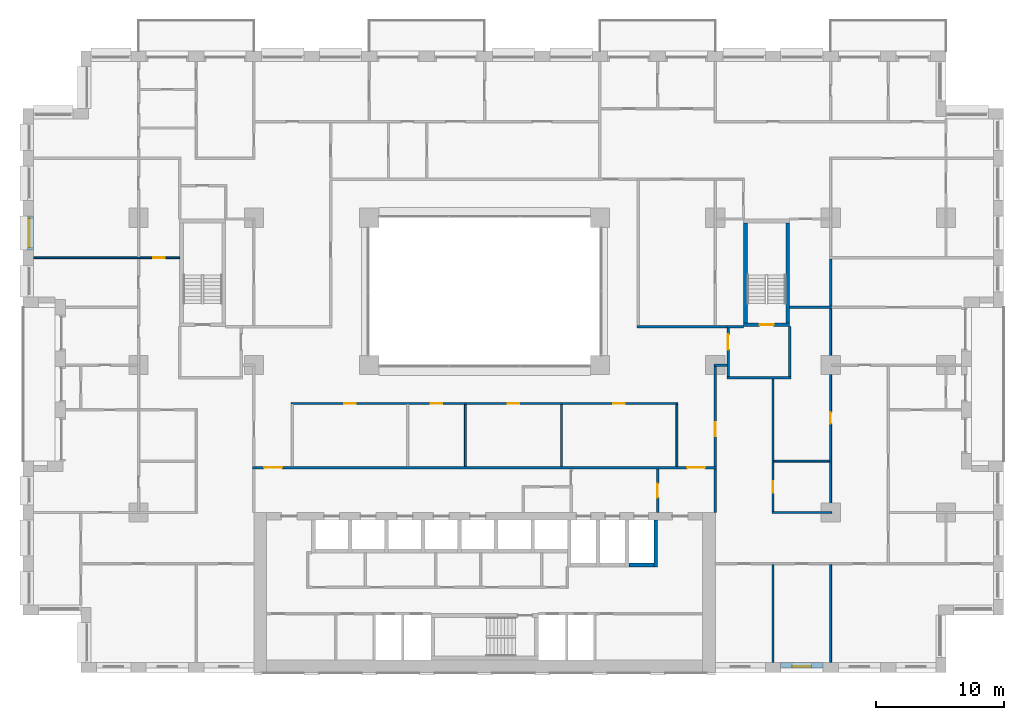
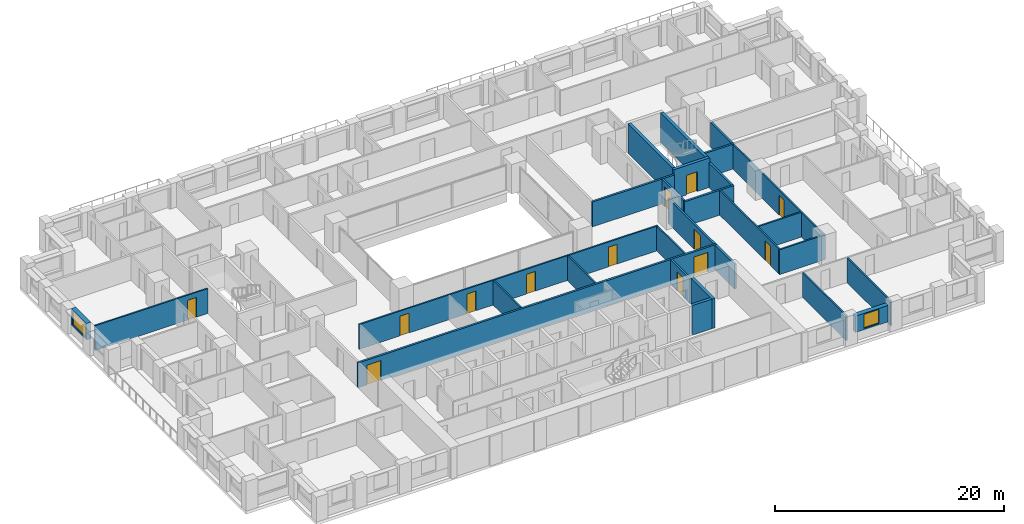
# One storey, part 12 of 20: 30 walls, 13 doors, 2 windows, 15 openings.
"""IFC4 building model written with IfcOpenShell, lengths in metres."""

from ifc_helpers import new_model, si_unit, direction, frame, frame_2d, origin, place, context, subcontext, project, spatial, rectangle, extrude, material, layer, layer_set, type_object, element, fill, save


model = new_model("IFC4")

# Units and contexts
model_context = context("Model", 3, precision=1e-05, world=origin(), true_north=direction((0.0, 1.0)))
body_context = subcontext(model_context, "Body", "Model", "MODEL_VIEW")
ifc_project = project(units=[si_unit("LENGTHUNIT", "METRE"), si_unit("AREAUNIT", "SQUARE_METRE"), si_unit("VOLUMEUNIT", "CUBIC_METRE"), si_unit("PLANEANGLEUNIT", "RADIAN"), si_unit("MASSUNIT", "GRAM", prefix="KILO")], contexts=[model_context])

# Site, building, storey
site_placement = place(None, origin())
site = spatial("IfcSite", under=ifc_project, at=site_placement, CompositionType="ELEMENT")
building_placement = place(site_placement, origin())
building = spatial("IfcBuilding", under=site, at=building_placement, Name="Brigalow Station Residences", CompositionType="ELEMENT")
storey_placement = place(building_placement, frame((0.0, 0.0, 69.89990234375)))
storey = spatial("IfcBuildingStorey", under=building, at=storey_placement, Name="L20", CompositionType="ELEMENT", Elevation=69.89990234375)

# Wall, opening, window
ifc_material_1 = material(Name="Clay brick masonry", Category="masonry")
ifc_layer_1 = layer(ifc_material_1, 0.449951171875)
ifc_layer_set_1 = layer_set([ifc_layer_1], Name="BRICK INFILL WALL 450")
wall_type_1 = type_object("IfcWallType", Name="BRICK INFILL WALL 450", PredefinedType="SOLIDWALL", material=ifc_layer_set_1)
wall_1_placement = place(storey_placement, frame((59.10009765625, 0.574951171875, 0.900146484375), z_axis=(0.0, 0.0, 1.0), x_axis=(1.0, 0.0, 0.0)))
wall_1 = element("IfcWall", 1, at=wall_1_placement, inside=storey, type_object=wall_type_1, Name="L20/ewall/W-L20-6", PredefinedType="SOLIDWALL", context=body_context, shape_type="SweptSolid", body=[
    extrude(rectangle(XDim=3.2998046875, YDim=0.449951171875, at=frame_2d((1.64990234375, 0.0))), origin(), (0.0, 0.0, 1.0), 1.75),
])
opening_1_placement = place(wall_1_placement, frame((0.89990234375, 0.0, 0.14990234375)))
opening_1 = element("IfcOpeningElement", 2, at=opening_1_placement, cuts=wall_1, Name="Opening WT-1", PredefinedType="OPENING", context=body_context, shape_type="SweptSolid", body=[
    extrude(rectangle(XDim=1.5, YDim=1.5, at=frame_2d((0.75, 0.75))), frame((0.0, 0.23486328125, 0.0), z_axis=(0.0, -1.0, 0.0), x_axis=(1.0, 0.0, 0.0)), (0.0, 0.0, 1.0), 0.469970703125),
])
ifc_material_2 = material(Name="Anodised aluminium frame with double glazing", Category="aluminium")
window_type_1 = type_object("IfcWindowType", Name="WINDOW 1500x1500", PartitioningType="SINGLE_PANEL", PredefinedType="WINDOW", material=ifc_material_2)
window_1_placement = place(opening_1_placement, origin())
window_1 = element("IfcWindow", 3, at=window_1_placement, inside=storey, type_object=window_type_1, Name="L20/window/W-L20-6", OverallHeight=1.5, OverallWidth=1.5, PartitioningType="SINGLE_PANEL", PredefinedType="WINDOW", context=body_context, shape_type="SweptSolid", body=[
    extrude(rectangle(XDim=1.5, YDim=1.5, at=frame_2d((0.75, 0.75))), frame((0.0, -0.06494140625, 0.0), z_axis=(0.0, -1.0, 0.0), x_axis=(1.0, 0.0, 0.0)), (0.0, 0.0, 1.0), 0.06005859375),
])
fill(opening_1, window_1)

wall_2_placement = place(storey_placement, frame((0.574951171875, 35.64990234375, 0.900146484375), z_axis=(0.0, 0.0, 1.0), x_axis=(0.0, -1.0, 0.0)))
wall_2 = element("IfcWall", 4, at=wall_2_placement, inside=storey, type_object=wall_type_1, Name="L20/ewall/W-L20-44", PredefinedType="SOLIDWALL", context=body_context, shape_type="SweptSolid", body=[
    extrude(rectangle(XDim=2.6748046875, YDim=0.449951171875, at=frame_2d((1.33740234375, 0.0))), origin(), (0.0, 0.0, 1.0), 1.75),
])
opening_2_placement = place(wall_2_placement, frame((0.21240234375, 0.0, 0.14990234375)))
opening_2 = element("IfcOpeningElement", 5, at=opening_2_placement, cuts=wall_2, Name="Opening WT-6", PredefinedType="OPENING", context=body_context, shape_type="SweptSolid", body=[
    extrude(rectangle(XDim=2.25, YDim=1.5, at=frame_2d((1.125, 0.75))), frame((0.0, 0.23486328125, 0.0), z_axis=(0.0, -1.0, 0.0), x_axis=(1.0, 0.0, 0.0)), (0.0, 0.0, 1.0), 0.469970703125),
])
ifc_material_3 = material(Name="Anodised aluminium frame with double glazing", Category="aluminium")
window_type_2 = type_object("IfcWindowType", Name="WINDOW 2250x1500", PartitioningType="SINGLE_PANEL", PredefinedType="WINDOW", material=ifc_material_3)
window_2_placement = place(opening_2_placement, origin())
window_2 = element("IfcWindow", 6, at=window_2_placement, inside=storey, type_object=window_type_2, Name="L20/window/W-L20-44", OverallHeight=1.5, OverallWidth=2.25, PartitioningType="SINGLE_PANEL", PredefinedType="WINDOW", context=body_context, shape_type="SweptSolid", body=[
    extrude(rectangle(XDim=2.25, YDim=1.5, at=frame_2d((1.125, 0.75))), frame((0.0, -0.06494140625, 0.0), z_axis=(0.0, -1.0, 0.0), x_axis=(1.0, 0.0, 0.0)), (0.0, 0.0, 1.0), 0.06005859375),
])
fill(opening_2, window_2)

# Walls
ifc_material_4 = material(Name="Concrete C80", Category="concrete")
ifc_layer_2 = layer(ifc_material_4, 0.300048828125)
ifc_layer_set_2 = layer_set([ifc_layer_2], Name="CORE SHEAR WALL 300 C80")
wall_type_2 = type_object("IfcWallType", Name="CORE SHEAR WALL 300 C80", PredefinedType="SHEAR", material=ifc_layer_set_2)
wall_3_placement = place(storey_placement, frame((47.25, 8.39990234375, 0.0), z_axis=(0.0, 0.0, 1.0), x_axis=(1.0, 0.0, 0.0)))
element("IfcWall", 7, at=wall_3_placement, inside=storey, type_object=wall_type_2, Name="CORE WALL SH-SL1-S L20", PredefinedType="SHEAR", context=body_context, shape_type="SweptSolid", body=[
    extrude(rectangle(XDim=1.949951171875, YDim=0.300048828125, at=frame_2d((0.97509765625, 0.0))), origin(), (0.0, 0.0, 1.0), 3.150146484375),
])
wall_4_placement = place(storey_placement, frame((49.35009765625, 8.25, 0.0), z_axis=(0.0, 0.0, 1.0), x_axis=(0.0, 1.0, 0.0)))
element("IfcWall", 8, at=wall_4_placement, inside=storey, type_object=wall_type_2, Name="CORE WALL SH-SL1-E L20", PredefinedType="SHEAR", context=body_context, shape_type="SweptSolid", body=[
    extrude(rectangle(XDim=3.64990234375, YDim=0.300048828125, at=frame_2d((1.824951171875, 0.0))), origin(), (0.0, 0.0, 1.0), 3.150146484375),
])

# Wall, opening, door
wall_5_placement = place(storey_placement, frame((56.199951171875, 27.14990234375, 0.0), z_axis=(0.0, 0.0, 1.0), x_axis=(1.0, 0.0, 0.0)))
wall_5 = element("IfcWall", 9, at=wall_5_placement, inside=storey, type_object=wall_type_2, Name="CORE WALL ST-S3-S L20", PredefinedType="SHEAR", context=body_context, shape_type="SweptSolid", body=[
    extrude(rectangle(XDim=3.60009765625, YDim=0.300048828125, at=frame_2d((1.800048828125, 0.0))), origin(), (0.0, 0.0, 1.0), 3.150146484375),
])
opening_3_placement = place(wall_5_placement, frame((1.25, 0.0, 0.0)))
opening_3 = element("IfcOpeningElement", 10, at=opening_3_placement, cuts=wall_5, Name="Opening D-5018", PredefinedType="OPENING", context=body_context, shape_type="SweptSolid", body=[
    extrude(rectangle(XDim=1.10009765625, YDim=2.10009765625, at=frame_2d((0.550048828125, 1.050048828125))), frame((0.0, 0.16015625, 0.0), z_axis=(0.0, -1.0, 0.0), x_axis=(1.0, 0.0, 0.0)), (0.0, 0.0, 1.0), 0.320068359375),
])
ifc_material_5 = material(Name="Steel fire door leaf in steel frame", Category="steel")
door_type_1 = type_object("IfcDoorType", Name="STAIR DOOR 1100 x 2100 FD60S", OperationType="SINGLE_SWING_LEFT", PredefinedType="DOOR", material=ifc_material_5)
door_1_placement = place(opening_3_placement, origin())
door_1 = element("IfcDoor", 11, at=door_1_placement, inside=storey, type_object=door_type_1, Name="D-5018", OperationType="SINGLE_SWING_LEFT", OverallHeight=2.10009765625, OverallWidth=1.10009765625, PredefinedType="DOOR", context=body_context, shape_type="SweptSolid", body=[
    extrude(rectangle(XDim=1.10009765625, YDim=2.10009765625, at=frame_2d((0.550048828125, 1.050048828125))), frame((0.0, 0.02490234375, 0.0), z_axis=(0.0, -1.0, 0.0), x_axis=(1.0, 0.0, 0.0)), (0.0, 0.0, 1.0), 0.050048828125),
])
fill(opening_3, door_1)

# Walls
for number, where, z_axis, x_axis, name in (
    (12, (56.35009765625, 27.300048828125, 0.0), (0.0, 0.0, 1.0), (0.0, 1.0, 0.0), "CORE WALL ST-S3-W L20"),
    (13, (59.64990234375, 27.300048828125, 0.0), (0.0, 0.0, 1.0), (0.0, 1.0, 0.0), "CORE WALL ST-S3-E L20"),
):
    element("IfcWall", number, at=place(storey_placement, frame(where, z_axis=z_axis, x_axis=x_axis)), inside=storey, type_object=wall_type_2, Name=name, PredefinedType="SHEAR", context=body_context, shape_type="SweptSolid", body=[
        extrude(rectangle(XDim=7.800048828125, YDim=0.300048828125, at=frame_2d((3.89990234375, 0.0))), origin(), (0.0, 0.0, 1.0), 3.150146484375),
    ])
ifc_material_6 = material(Name="Concrete blockwork", Category="masonry")
ifc_layer_3 = layer(ifc_material_6, 0.199951171875)
ifc_layer_set_3 = layer_set([ifc_layer_3], Name="FIRE RATED CORE PARTITION 200")
wall_type_3 = type_object("IfcWallType", Name="FIRE RATED CORE PARTITION 200", PredefinedType="PARTITIONING", material=ifc_layer_set_3)
wall_6_placement = place(storey_placement, frame((54.89990234375, 23.0, 0.0), z_axis=(0.0, 0.0, 1.0), x_axis=(1.0, 0.0, 0.0)))
element("IfcWall", 14, at=wall_6_placement, inside=storey, type_object=wall_type_3, Name="PW-5024", PredefinedType="PARTITIONING", context=body_context, shape_type="SweptSolid", body=[
    extrude(rectangle(XDim=5.0, YDim=0.199951171875, at=frame_2d((2.5, 0.0))), origin(), (0.0, 0.0, 1.0), 2.650146484375),
])
wall_7_placement = place(storey_placement, frame((54.89990234375, 27.0, 0.0), z_axis=(0.0, 0.0, 1.0), x_axis=(1.0, 0.0, 0.0)))
element("IfcWall", 15, at=wall_7_placement, inside=storey, type_object=wall_type_3, Name="PW-5026", PredefinedType="PARTITIONING", context=body_context, shape_type="SweptSolid", body=[
    extrude(rectangle(XDim=1.300048828125, YDim=0.199951171875, at=frame_2d((0.64990234375, 0.0))), origin(), (0.0, 0.0, 1.0), 2.650146484375),
])

# Wall, opening, door
wall_8_placement = place(storey_placement, frame((49.5, 12.5, 0.0), z_axis=(0.0, 0.0, 1.0), x_axis=(0.0, 1.0, 0.0)))
wall_8 = element("IfcWall", 16, at=wall_8_placement, inside=storey, type_object=wall_type_3, Name="PW-5015", PredefinedType="PARTITIONING", context=body_context, shape_type="SweptSolid", body=[
    extrude(rectangle(XDim=3.39990234375, YDim=0.199951171875, at=frame_2d((1.699951171875, 0.0))), origin(), (0.0, 0.0, 1.0), 2.650146484375),
])
opening_4_placement = place(wall_8_placement, frame((1.14990234375, 0.0, 0.0)))
opening_4 = element("IfcOpeningElement", 17, at=opening_4_placement, cuts=wall_8, Name="Opening D-5014", PredefinedType="OPENING", context=body_context, shape_type="SweptSolid", body=[
    extrude(rectangle(XDim=1.10009765625, YDim=2.10009765625, at=frame_2d((0.550048828125, 1.050048828125))), frame((0.0, 0.10986328125, 0.0), z_axis=(0.0, -1.0, 0.0), x_axis=(1.0, 0.0, 0.0)), (0.0, 0.0, 1.0), 0.219970703125),
])
ifc_material_7 = material(Name="Steel fire door leaf in steel frame", Category="steel")
door_type_2 = type_object("IfcDoorType", Name="LOBBY DOOR 1100 x 2100 FD60S", OperationType="SINGLE_SWING_LEFT", PredefinedType="DOOR", material=ifc_material_7)
door_2_placement = place(opening_4_placement, origin())
door_2 = element("IfcDoor", 18, at=door_2_placement, inside=storey, type_object=door_type_2, Name="D-5014", OperationType="SINGLE_SWING_LEFT", OverallHeight=2.10009765625, OverallWidth=1.10009765625, PredefinedType="DOOR", context=body_context, shape_type="SweptSolid", body=[
    extrude(rectangle(XDim=1.10009765625, YDim=2.10009765625, at=frame_2d((0.550048828125, 1.050048828125))), frame((0.0, 0.02490234375, 0.0), z_axis=(0.0, -1.0, 0.0), x_axis=(1.0, 0.0, 0.0)), (0.0, 0.0, 1.0), 0.050048828125),
])
fill(opening_4, door_2)

# Wall
wall_9_placement = place(storey_placement, frame((54.0, 12.5, 0.0), z_axis=(0.0, 0.0, 1.0), x_axis=(0.0, 1.0, 0.0)))
element("IfcWall", 19, at=wall_9_placement, inside=storey, type_object=wall_type_3, Name="PW-5016", PredefinedType="PARTITIONING", context=body_context, shape_type="SweptSolid", body=[
    extrude(rectangle(XDim=3.39990234375, YDim=0.199951171875, at=frame_2d((1.699951171875, 0.0))), origin(), (0.0, 0.0, 1.0), 2.650146484375),
])

# Wall, opening, door
wall_10_placement = place(storey_placement, frame((55.0, 23.10009765625, 0.0), z_axis=(0.0, 0.0, 1.0), x_axis=(0.0, 1.0, 0.0)))
wall_10 = element("IfcWall", 20, at=wall_10_placement, inside=storey, type_object=wall_type_3, Name="PW-5036", PredefinedType="PARTITIONING", context=body_context, shape_type="SweptSolid", body=[
    extrude(rectangle(XDim=3.7998046875, YDim=0.199951171875, at=frame_2d((1.89990234375, 0.0))), origin(), (0.0, 0.0, 1.0), 2.650146484375),
])
opening_5_placement = place(wall_10_placement, frame((2.10009765625, 0.0, 0.0)))
opening_5 = element("IfcOpeningElement", 21, at=opening_5_placement, cuts=wall_10, Name="Opening D-5019", PredefinedType="OPENING", context=body_context, shape_type="SweptSolid", body=[
    extrude(rectangle(XDim=1.199951171875, YDim=2.10009765625, at=frame_2d((0.60009765625, 1.050048828125))), frame((0.0, 0.10986328125, 0.0), z_axis=(0.0, -1.0, 0.0), x_axis=(1.0, 0.0, 0.0)), (0.0, 0.0, 1.0), 0.219970703125),
])
ifc_material_8 = material(Name="Steel fire door leaf in steel frame", Category="steel")
door_type_3 = type_object("IfcDoorType", Name="STAIR LOBBY DOOR 1200 x 2100 FD60S", OperationType="SINGLE_SWING_LEFT", PredefinedType="DOOR", material=ifc_material_8)
door_3_placement = place(opening_5_placement, frame((1.199951171875, 0.0, 0.0), z_axis=(0.0, 0.0, 1.0), x_axis=(-1.0, 0.0, 0.0)))
door_3 = element("IfcDoor", 22, at=door_3_placement, inside=storey, type_object=door_type_3, Name="D-5019", OperationType="SINGLE_SWING_LEFT", OverallHeight=2.10009765625, OverallWidth=1.199951171875, PredefinedType="DOOR", context=body_context, shape_type="SweptSolid", body=[
    extrude(rectangle(XDim=1.199951171875, YDim=2.10009765625, at=frame_2d((0.60009765625, 1.050048828125))), frame((0.0, 0.02490234375, 0.0), z_axis=(0.0, -1.0, 0.0), x_axis=(1.0, 0.0, 0.0)), (0.0, 0.0, 1.0), 0.050048828125),
])
fill(opening_5, door_3)

# Wall
wall_11_placement = place(storey_placement, frame((59.800048828125, 23.10009765625, 0.0), z_axis=(0.0, 0.0, 1.0), x_axis=(0.0, 1.0, 0.0)))
element("IfcWall", 23, at=wall_11_placement, inside=storey, type_object=wall_type_3, Name="PW-5037", PredefinedType="PARTITIONING", context=body_context, shape_type="SweptSolid", body=[
    extrude(rectangle(XDim=3.89990234375, YDim=0.199951171875, at=frame_2d((1.949951171875, 0.0))), origin(), (0.0, 0.0, 1.0), 2.650146484375),
])

# Wall, openings, doors
ifc_material_9 = material(Name="Plasterboard on steel stud partition", Category="steel")
ifc_layer_4 = layer(ifc_material_9, 0.14990234375)
ifc_layer_set_4 = layer_set([ifc_layer_4], Name="FLAT PARTITION 150")
wall_type_4 = type_object("IfcWallType", Name="FLAT PARTITION 150", PredefinedType="PARTITIONING", material=ifc_layer_set_4)
wall_12_placement = place(storey_placement, frame((20.925048828125, 21.0, 0.0), z_axis=(0.0, 0.0, 1.0), x_axis=(1.0, 0.0, 0.0)))
wall_12 = element("IfcWall", 24, at=wall_12_placement, inside=storey, type_object=wall_type_4, Name="PW-1G01", PredefinedType="PARTITIONING", context=body_context, shape_type="SweptSolid", body=[
    extrude(rectangle(XDim=30.14990234375, YDim=0.14990234375, at=frame_2d((15.074951171875, 0.0))), origin(), (0.0, 0.0, 1.0), 2.650146484375),
])
opening_6_placement = place(wall_12_placement, frame((4.125, 0.0, 0.0)))
opening_6 = element("IfcOpeningElement", 25, at=opening_6_placement, cuts=wall_12, Name="Opening D-1G65", PredefinedType="OPENING", context=body_context, shape_type="SweptSolid", body=[
    extrude(rectangle(XDim=0.89990234375, YDim=2.10009765625, at=frame_2d((0.449951171875, 1.050048828125))), frame((0.0, 0.0849609375, 0.0), z_axis=(0.0, -1.0, 0.0), x_axis=(1.0, 0.0, 0.0)), (0.0, 0.0, 1.0), 0.169921875),
])
opening_7_placement = place(wall_12_placement, frame((10.875, 0.0, 0.0)))
opening_7 = element("IfcOpeningElement", 26, at=opening_7_placement, cuts=wall_12, Name="Opening D-1G66", PredefinedType="OPENING", context=body_context, shape_type="SweptSolid", body=[
    extrude(rectangle(XDim=0.89990234375, YDim=2.10009765625, at=frame_2d((0.449951171875, 1.050048828125))), frame((0.0, 0.0849609375, 0.0), z_axis=(0.0, -1.0, 0.0), x_axis=(1.0, 0.0, 0.0)), (0.0, 0.0, 1.0), 0.169921875),
])
opening_8_placement = place(wall_12_placement, frame((16.875, 0.0, 0.0)))
opening_8 = element("IfcOpeningElement", 27, at=opening_8_placement, cuts=wall_12, Name="Opening D-1G67", PredefinedType="OPENING", context=body_context, shape_type="SweptSolid", body=[
    extrude(rectangle(XDim=0.89990234375, YDim=2.10009765625, at=frame_2d((0.449951171875, 1.050048828125))), frame((0.0, 0.0849609375, 0.0), z_axis=(0.0, -1.0, 0.0), x_axis=(1.0, 0.0, 0.0)), (0.0, 0.0, 1.0), 0.169921875),
])
opening_9_placement = place(wall_12_placement, frame((25.125, 0.0, 0.0)))
opening_9 = element("IfcOpeningElement", 28, at=opening_9_placement, cuts=wall_12, Name="Opening D-1G68", PredefinedType="OPENING", context=body_context, shape_type="SweptSolid", body=[
    extrude(rectangle(XDim=0.89990234375, YDim=2.10009765625, at=frame_2d((0.449951171875, 1.050048828125))), frame((0.0, 0.0849609375, 0.0), z_axis=(0.0, -1.0, 0.0), x_axis=(1.0, 0.0, 0.0)), (0.0, 0.0, 1.0), 0.169921875),
])
ifc_material_10 = material(Name="Solid-core timber door leaf", Category="wood")
door_type_4 = type_object("IfcDoorType", Name="INTERNAL DOOR 900 x 2100", OperationType="SINGLE_SWING_LEFT", PredefinedType="DOOR", material=ifc_material_10)
door_4_placement = place(opening_6_placement, frame((0.89990234375, 0.0, 0.0), z_axis=(0.0, 0.0, 1.0), x_axis=(-1.0, 0.0, 0.0)))
door_4 = element("IfcDoor", 29, at=door_4_placement, inside=storey, type_object=door_type_4, Name="D-1G65", OperationType="SINGLE_SWING_RIGHT", OverallHeight=2.10009765625, OverallWidth=0.89990234375, PredefinedType="DOOR", context=body_context, shape_type="SweptSolid", body=[
    extrude(rectangle(XDim=0.89990234375, YDim=2.10009765625, at=frame_2d((0.449951171875, 1.050048828125))), frame((0.0, 0.02490234375, 0.0), z_axis=(0.0, -1.0, 0.0), x_axis=(1.0, 0.0, 0.0)), (0.0, 0.0, 1.0), 0.050048828125),
])
fill(opening_6, door_4)
door_5_placement = place(opening_7_placement, frame((0.89990234375, 0.0, 0.0), z_axis=(0.0, 0.0, 1.0), x_axis=(-1.0, 0.0, 0.0)))
door_5 = element("IfcDoor", 30, at=door_5_placement, inside=storey, type_object=door_type_4, Name="D-1G66", OperationType="SINGLE_SWING_LEFT", OverallHeight=2.10009765625, OverallWidth=0.89990234375, PredefinedType="DOOR", context=body_context, shape_type="SweptSolid", body=[
    extrude(rectangle(XDim=0.89990234375, YDim=2.10009765625, at=frame_2d((0.449951171875, 1.050048828125))), frame((0.0, 0.02490234375, 0.0), z_axis=(0.0, -1.0, 0.0), x_axis=(1.0, 0.0, 0.0)), (0.0, 0.0, 1.0), 0.050048828125),
])
fill(opening_7, door_5)
door_6_placement = place(opening_8_placement, frame((0.89990234375, 0.0, 0.0), z_axis=(0.0, 0.0, 1.0), x_axis=(-1.0, 0.0, 0.0)))
door_6 = element("IfcDoor", 31, at=door_6_placement, inside=storey, type_object=door_type_4, Name="D-1G67", OperationType="SINGLE_SWING_LEFT", OverallHeight=2.10009765625, OverallWidth=0.89990234375, PredefinedType="DOOR", context=body_context, shape_type="SweptSolid", body=[
    extrude(rectangle(XDim=0.89990234375, YDim=2.10009765625, at=frame_2d((0.449951171875, 1.050048828125))), frame((0.0, 0.02490234375, 0.0), z_axis=(0.0, -1.0, 0.0), x_axis=(1.0, 0.0, 0.0)), (0.0, 0.0, 1.0), 0.050048828125),
])
fill(opening_8, door_6)
door_7_placement = place(opening_9_placement, frame((0.89990234375, 0.0, 0.0), z_axis=(0.0, 0.0, 1.0), x_axis=(-1.0, 0.0, 0.0)))
door_7 = element("IfcDoor", 32, at=door_7_placement, inside=storey, type_object=door_type_4, Name="D-1G68", OperationType="SINGLE_SWING_LEFT", OverallHeight=2.10009765625, OverallWidth=0.89990234375, PredefinedType="DOOR", context=body_context, shape_type="SweptSolid", body=[
    extrude(rectangle(XDim=0.89990234375, YDim=2.10009765625, at=frame_2d((0.449951171875, 1.050048828125))), frame((0.0, 0.02490234375, 0.0), z_axis=(0.0, -1.0, 0.0), x_axis=(1.0, 0.0, 0.0)), (0.0, 0.0, 1.0), 0.050048828125),
])
fill(opening_9, door_7)

# Wall
wall_13_placement = place(storey_placement, frame((58.425048828125, 12.5, 0.0), z_axis=(0.0, 0.0, 1.0), x_axis=(1.0, 0.0, 0.0)))
element("IfcWall", 33, at=wall_13_placement, inside=storey, type_object=wall_type_4, Name="PW-1G13", PredefinedType="PARTITIONING", context=body_context, shape_type="SweptSolid", body=[
    extrude(rectangle(XDim=4.64990234375, YDim=0.14990234375, at=frame_2d((2.324951171875, 0.0))), origin(), (0.0, 0.0, 1.0), 2.650146484375),
])

# Wall, opening, door
wall_14_placement = place(storey_placement, frame((0.800048828125, 32.375, 0.0), z_axis=(0.0, 0.0, 1.0), x_axis=(1.0, 0.0, 0.0)))
wall_14 = element("IfcWall", 34, at=wall_14_placement, inside=storey, type_object=wall_type_4, Name="PW-1G17", PredefinedType="PARTITIONING", context=body_context, shape_type="SweptSolid", body=[
    extrude(rectangle(XDim=11.39990234375, YDim=0.14990234375, at=frame_2d((5.699951171875, 0.0))), origin(), (0.0, 0.0, 1.0), 2.650146484375),
])
opening_10_placement = place(wall_14_placement, frame((9.35009765625, 0.0, 0.0)))
opening_10 = element("IfcOpeningElement", 35, at=opening_10_placement, cuts=wall_14, Name="Opening D-1G13", PredefinedType="OPENING", context=body_context, shape_type="SweptSolid", body=[
    extrude(rectangle(XDim=0.89990234375, YDim=2.10009765625, at=frame_2d((0.449951171875, 1.050048828125))), frame((0.0, 0.0849609375, 0.0), z_axis=(0.0, -1.0, 0.0), x_axis=(1.0, 0.0, 0.0)), (0.0, 0.0, 1.0), 0.169921875),
])
door_8_placement = place(opening_10_placement, origin())
door_8 = element("IfcDoor", 36, at=door_8_placement, inside=storey, type_object=door_type_4, Name="D-1G13", OperationType="SINGLE_SWING_LEFT", OverallHeight=2.10009765625, OverallWidth=0.89990234375, PredefinedType="DOOR", context=body_context, shape_type="SweptSolid", body=[
    extrude(rectangle(XDim=0.89990234375, YDim=2.10009765625, at=frame_2d((0.449951171875, 1.050048828125))), frame((0.0, 0.02490234375, 0.0), z_axis=(0.0, -1.0, 0.0), x_axis=(1.0, 0.0, 0.0)), (0.0, 0.0, 1.0), 0.050048828125),
])
fill(opening_10, door_8)

# Walls
wall_15_placement = place(storey_placement, frame((58.574951171875, 16.5, 0.0), z_axis=(0.0, 0.0, 1.0), x_axis=(1.0, 0.0, 0.0)))
element("IfcWall", 37, at=wall_15_placement, inside=storey, type_object=wall_type_4, Name="PW-1G20", PredefinedType="PARTITIONING", context=body_context, shape_type="SweptSolid", body=[
    extrude(rectangle(XDim=4.35009765625, YDim=0.14990234375, at=frame_2d((2.175048828125, 0.0))), origin(), (0.0, 0.0, 1.0), 2.650146484375),
])
wall_16_placement = place(storey_placement, frame((51.0, 16.10009765625, 0.0), z_axis=(0.0, 0.0, 1.0), x_axis=(0.0, 1.0, 0.0)))
element("IfcWall", 38, at=wall_16_placement, inside=storey, type_object=wall_type_4, Name="PW-1G46", PredefinedType="PARTITIONING", context=body_context, shape_type="SweptSolid", body=[
    extrude(rectangle(XDim=4.824951171875, YDim=0.14990234375, at=frame_2d((2.41259765625, 0.0))), origin(), (0.0, 0.0, 1.0), 2.650146484375),
])
wall_17_placement = place(storey_placement, frame((63.0, 0.800048828125, 0.0), z_axis=(0.0, 0.0, 1.0), x_axis=(0.0, 1.0, 0.0)))
element("IfcWall", 39, at=wall_17_placement, inside=storey, type_object=wall_type_4, Name="PW-1G66", PredefinedType="PARTITIONING", context=body_context, shape_type="SweptSolid", body=[
    extrude(rectangle(XDim=7.625, YDim=0.14990234375, at=frame_2d((3.8125, 0.0))), origin(), (0.0, 0.0, 1.0), 2.650146484375),
])

# Wall, opening, door
wall_18_placement = place(storey_placement, frame((63.0, 12.574951171875, 0.0), z_axis=(0.0, 0.0, 1.0), x_axis=(0.0, 1.0, 0.0)))
wall_18 = element("IfcWall", 40, at=wall_18_placement, inside=storey, type_object=wall_type_4, Name="PW-1G67", PredefinedType="PARTITIONING", context=body_context, shape_type="SweptSolid", body=[
    extrude(rectangle(XDim=15.85009765625, YDim=0.14990234375, at=frame_2d((7.925048828125, 0.0))), origin(), (0.0, 0.0, 1.0), 2.650146484375),
])
opening_11_placement = place(wall_18_placement, frame((6.85009765625, 0.0, 0.0)))
opening_11 = element("IfcOpeningElement", 41, at=opening_11_placement, cuts=wall_18, Name="Opening D-1G62", PredefinedType="OPENING", context=body_context, shape_type="SweptSolid", body=[
    extrude(rectangle(XDim=0.89990234375, YDim=2.10009765625, at=frame_2d((0.449951171875, 1.050048828125))), frame((0.0, 0.0849609375, 0.0), z_axis=(0.0, -1.0, 0.0), x_axis=(1.0, 0.0, 0.0)), (0.0, 0.0, 1.0), 0.169921875),
])
door_9_placement = place(opening_11_placement, origin())
door_9 = element("IfcDoor", 42, at=door_9_placement, inside=storey, type_object=door_type_4, Name="D-1G62", OperationType="SINGLE_SWING_LEFT", OverallHeight=2.10009765625, OverallWidth=0.89990234375, PredefinedType="DOOR", context=body_context, shape_type="SweptSolid", body=[
    extrude(rectangle(XDim=0.89990234375, YDim=2.10009765625, at=frame_2d((0.449951171875, 1.050048828125))), frame((0.0, 0.02490234375, 0.0), z_axis=(0.0, -1.0, 0.0), x_axis=(1.0, 0.0, 0.0)), (0.0, 0.0, 1.0), 0.050048828125),
])
fill(opening_11, door_9)

# Wall
wall_19_placement = place(storey_placement, frame((58.5, 0.800048828125, 0.0), z_axis=(0.0, 0.0, 1.0), x_axis=(0.0, 1.0, 0.0)))
element("IfcWall", 43, at=wall_19_placement, inside=storey, type_object=wall_type_4, Name="PW-1G79", PredefinedType="PARTITIONING", context=body_context, shape_type="SweptSolid", body=[
    extrude(rectangle(XDim=7.625, YDim=0.14990234375, at=frame_2d((3.8125, 0.0))), origin(), (0.0, 0.0, 1.0), 2.650146484375),
])

# Wall, opening, door
wall_20_placement = place(storey_placement, frame((58.5, 12.574951171875, 0.0), z_axis=(0.0, 0.0, 1.0), x_axis=(0.0, 1.0, 0.0)))
wall_20 = element("IfcWall", 44, at=wall_20_placement, inside=storey, type_object=wall_type_4, Name="PW-1G80", PredefinedType="PARTITIONING", context=body_context, shape_type="SweptSolid", body=[
    extrude(rectangle(XDim=10.324951171875, YDim=0.14990234375, at=frame_2d((5.16259765625, 0.0))), origin(), (0.0, 0.0, 1.0), 2.650146484375),
])
opening_12_placement = place(wall_20_placement, frame((1.47509765625, 0.0, 0.0)))
opening_12 = element("IfcOpeningElement", 45, at=opening_12_placement, cuts=wall_20, Name="Opening D-1G52", PredefinedType="OPENING", context=body_context, shape_type="SweptSolid", body=[
    extrude(rectangle(XDim=0.89990234375, YDim=2.10009765625, at=frame_2d((0.449951171875, 1.050048828125))), frame((0.0, 0.0849609375, 0.0), z_axis=(0.0, -1.0, 0.0), x_axis=(1.0, 0.0, 0.0)), (0.0, 0.0, 1.0), 0.169921875),
])
door_10_placement = place(opening_12_placement, frame((0.89990234375, 0.0, 0.0), z_axis=(0.0, 0.0, 1.0), x_axis=(-1.0, 0.0, 0.0)))
door_10 = element("IfcDoor", 46, at=door_10_placement, inside=storey, type_object=door_type_4, Name="D-1G52", OperationType="SINGLE_SWING_LEFT", OverallHeight=2.10009765625, OverallWidth=0.89990234375, PredefinedType="DOOR", context=body_context, shape_type="SweptSolid", body=[
    extrude(rectangle(XDim=0.89990234375, YDim=2.10009765625, at=frame_2d((0.449951171875, 1.050048828125))), frame((0.0, 0.02490234375, 0.0), z_axis=(0.0, -1.0, 0.0), x_axis=(1.0, 0.0, 0.0)), (0.0, 0.0, 1.0), 0.050048828125),
])
fill(opening_12, door_10)

# Walls
for number, where, z_axis, x_axis, name in (
    (47, (34.5, 16.10009765625, 0.0), (0.0, 0.0, 1.0), (0.0, 1.0, 0.0), "PW-1G82"),
    (48, (42.0, 16.10009765625, 0.0), (0.0, 0.0, 1.0), (0.0, 1.0, 0.0), "PW-1G83"),
):
    element("IfcWall", number, at=place(storey_placement, frame(where, z_axis=z_axis, x_axis=x_axis)), inside=storey, type_object=wall_type_4, Name=name, PredefinedType="PARTITIONING", context=body_context, shape_type="SweptSolid", body=[
        extrude(rectangle(XDim=4.824951171875, YDim=0.14990234375, at=frame_2d((2.41259765625, 0.0))), origin(), (0.0, 0.0, 1.0), 2.650146484375),
    ])
ifc_material_11 = material(Name="Plasterboard on steel stud partition", Category="steel")
ifc_layer_5 = layer(ifc_material_11, 0.199951171875)
ifc_layer_set_5 = layer_set([ifc_layer_5], Name="PARTY AND CORRIDOR WALL 200")
wall_type_5 = type_object("IfcWallType", Name="PARTY AND CORRIDOR WALL 200", PredefinedType="PARTITIONING", material=ifc_layer_set_5)
wall_21_placement = place(storey_placement, frame((53.89990234375, 24.0, 0.0), z_axis=(0.0, 0.0, 1.0), x_axis=(1.0, 0.0, 0.0)))
element("IfcWall", 49, at=wall_21_placement, inside=storey, type_object=wall_type_5, Name="PW-1G05", PredefinedType="PARTITIONING", context=body_context, shape_type="SweptSolid", body=[
    extrude(rectangle(XDim=1.0, YDim=0.199951171875, at=frame_2d((0.5, 0.0))), origin(), (0.0, 0.0, 1.0), 2.650146484375),
])
wall_22_placement = place(storey_placement, frame((47.89990234375, 27.0, 0.0), z_axis=(0.0, 0.0, 1.0), x_axis=(1.0, 0.0, 0.0)))
element("IfcWall", 50, at=wall_22_placement, inside=storey, type_object=wall_type_5, Name="PW-1G07", PredefinedType="PARTITIONING", context=body_context, shape_type="SweptSolid", body=[
    extrude(rectangle(XDim=7.0, YDim=0.199951171875, at=frame_2d((3.5, 0.0))), origin(), (0.0, 0.0, 1.0), 2.650146484375),
])
wall_23_placement = place(storey_placement, frame((59.800048828125, 28.5, 0.0), z_axis=(0.0, 0.0, 1.0), x_axis=(1.0, 0.0, 0.0)))
element("IfcWall", 51, at=wall_23_placement, inside=storey, type_object=wall_type_5, Name="PW-1G23", PredefinedType="PARTITIONING", context=body_context, shape_type="SweptSolid", body=[
    extrude(rectangle(XDim=3.27490234375, YDim=0.199951171875, at=frame_2d((1.637451171875, 0.0))), origin(), (0.0, 0.0, 1.0), 2.650146484375),
])

# Wall, openings, doors
wall_24_placement = place(storey_placement, frame((17.89990234375, 16.0, 0.0), z_axis=(0.0, 0.0, 1.0), x_axis=(1.0, 0.0, 0.0)))
wall_24 = element("IfcWall", 52, at=wall_24_placement, inside=storey, type_object=wall_type_5, Name="PW-1G38", PredefinedType="PARTITIONING", context=body_context, shape_type="SweptSolid", body=[
    extrude(rectangle(XDim=36.2001953125, YDim=0.199951171875, at=frame_2d((18.10009765625, 0.0))), origin(), (0.0, 0.0, 1.0), 2.650146484375),
])
opening_13_placement = place(wall_24_placement, frame((0.89990234375, 0.0, 0.0)))
opening_13 = element("IfcOpeningElement", 53, at=opening_13_placement, cuts=wall_24, Name="Opening D-1G01", PredefinedType="OPENING", context=body_context, shape_type="SweptSolid", body=[
    extrude(rectangle(XDim=1.39990234375, YDim=2.10009765625, at=frame_2d((0.699951171875, 1.050048828125))), frame((0.0, 0.10986328125, 0.0), z_axis=(0.0, -1.0, 0.0), x_axis=(1.0, 0.0, 0.0)), (0.0, 0.0, 1.0), 0.219970703125),
])
opening_14_placement = place(wall_24_placement, frame((33.89990234375, 0.0, 0.0)))
opening_14 = element("IfcOpeningElement", 54, at=opening_14_placement, cuts=wall_24, Name="Opening D-1G02", PredefinedType="OPENING", context=body_context, shape_type="SweptSolid", body=[
    extrude(rectangle(XDim=1.39990234375, YDim=2.10009765625, at=frame_2d((0.699951171875, 1.050048828125))), frame((0.0, 0.10986328125, 0.0), z_axis=(0.0, -1.0, 0.0), x_axis=(1.0, 0.0, 0.0)), (0.0, 0.0, 1.0), 0.219970703125),
])
ifc_material_12 = material(Name="Solid-core timber door leaf", Category="wood")
door_type_5 = type_object("IfcDoorType", Name="CORRIDOR FIRE DOOR 1400 x 2100 FRL -/60/30", OperationType="DOUBLE_DOOR_SINGLE_SWING", PredefinedType="DOOR", material=ifc_material_12)
door_11_placement = place(opening_13_placement, frame((1.39990234375, 0.0, 0.0), z_axis=(0.0, 0.0, 1.0), x_axis=(-1.0, 0.0, 0.0)))
door_11 = element("IfcDoor", 55, at=door_11_placement, inside=storey, type_object=door_type_5, Name="D-1G01", OperationType="DOUBLE_DOOR_SINGLE_SWING", OverallHeight=2.10009765625, OverallWidth=1.39990234375, PredefinedType="DOOR", context=body_context, shape_type="SweptSolid", body=[
    extrude(rectangle(XDim=1.39990234375, YDim=2.10009765625, at=frame_2d((0.699951171875, 1.050048828125))), frame((0.0, 0.02490234375, 0.0), z_axis=(0.0, -1.0, 0.0), x_axis=(1.0, 0.0, 0.0)), (0.0, 0.0, 1.0), 0.050048828125),
])
fill(opening_13, door_11)
door_12_placement = place(opening_14_placement, frame((1.39990234375, 0.0, 0.0), z_axis=(0.0, 0.0, 1.0), x_axis=(-1.0, 0.0, 0.0)))
door_12 = element("IfcDoor", 56, at=door_12_placement, inside=storey, type_object=door_type_5, Name="D-1G02", OperationType="DOUBLE_DOOR_SINGLE_SWING", OverallHeight=2.10009765625, OverallWidth=1.39990234375, PredefinedType="DOOR", context=body_context, shape_type="SweptSolid", body=[
    extrude(rectangle(XDim=1.39990234375, YDim=2.10009765625, at=frame_2d((0.699951171875, 1.050048828125))), frame((0.0, 0.02490234375, 0.0), z_axis=(0.0, -1.0, 0.0), x_axis=(1.0, 0.0, 0.0)), (0.0, 0.0, 1.0), 0.050048828125),
])
fill(opening_14, door_12)

# Wall, opening, door
wall_25_placement = place(storey_placement, frame((54.0, 16.10009765625, 0.0), z_axis=(0.0, 0.0, 1.0), x_axis=(0.0, 1.0, 0.0)))
wall_25 = element("IfcWall", 57, at=wall_25_placement, inside=storey, type_object=wall_type_5, Name="PW-1G44", PredefinedType="PARTITIONING", context=body_context, shape_type="SweptSolid", body=[
    extrude(rectangle(XDim=7.7998046875, YDim=0.199951171875, at=frame_2d((3.89990234375, 0.0))), origin(), (0.0, 0.0, 1.0), 2.650146484375),
])
opening_15_placement = place(wall_25_placement, frame((2.35009765625, 0.0, 0.0)))
opening_15 = element("IfcOpeningElement", 58, at=opening_15_placement, cuts=wall_25, Name="Opening D-1G64", PredefinedType="OPENING", context=body_context, shape_type="SweptSolid", body=[
    extrude(rectangle(XDim=1.10009765625, YDim=2.10009765625, at=frame_2d((0.550048828125, 1.050048828125))), frame((0.0, 0.10986328125, 0.0), z_axis=(0.0, -1.0, 0.0), x_axis=(1.0, 0.0, 0.0)), (0.0, 0.0, 1.0), 0.219970703125),
])
ifc_material_13 = material(Name="Solid-core timber door leaf", Category="wood")
door_type_6 = type_object("IfcDoorType", Name="FLAT ENTRANCE DOOR 1100 x 2100 FRL -/60/30", OperationType="SINGLE_SWING_LEFT", PredefinedType="DOOR", material=ifc_material_13)
door_13_placement = place(opening_15_placement, frame((1.10009765625, 0.0, 0.0), z_axis=(0.0, 0.0, 1.0), x_axis=(-1.0, 0.0, 0.0)))
door_13 = element("IfcDoor", 59, at=door_13_placement, inside=storey, type_object=door_type_6, Name="D-1G64", OperationType="SINGLE_SWING_LEFT", OverallHeight=2.10009765625, OverallWidth=1.10009765625, PredefinedType="DOOR", context=body_context, shape_type="SweptSolid", body=[
    extrude(rectangle(XDim=1.10009765625, YDim=2.10009765625, at=frame_2d((0.550048828125, 1.050048828125))), frame((0.0, 0.02490234375, 0.0), z_axis=(0.0, -1.0, 0.0), x_axis=(1.0, 0.0, 0.0)), (0.0, 0.0, 1.0), 0.050048828125),
])
fill(opening_15, door_13)

# Wall
wall_26_placement = place(storey_placement, frame((63.0, 28.574951171875, 0.0), z_axis=(0.0, 0.0, 1.0), x_axis=(0.0, 1.0, 0.0)))
element("IfcWall", 60, at=wall_26_placement, inside=storey, type_object=wall_type_5, Name="PW-1G70", PredefinedType="PARTITIONING", context=body_context, shape_type="SweptSolid", body=[
    extrude(rectangle(XDim=3.699951171875, YDim=0.199951171875, at=frame_2d((1.85009765625, 0.0))), origin(), (0.0, 0.0, 1.0), 2.650146484375),
])

save(model, "model.ifc")
